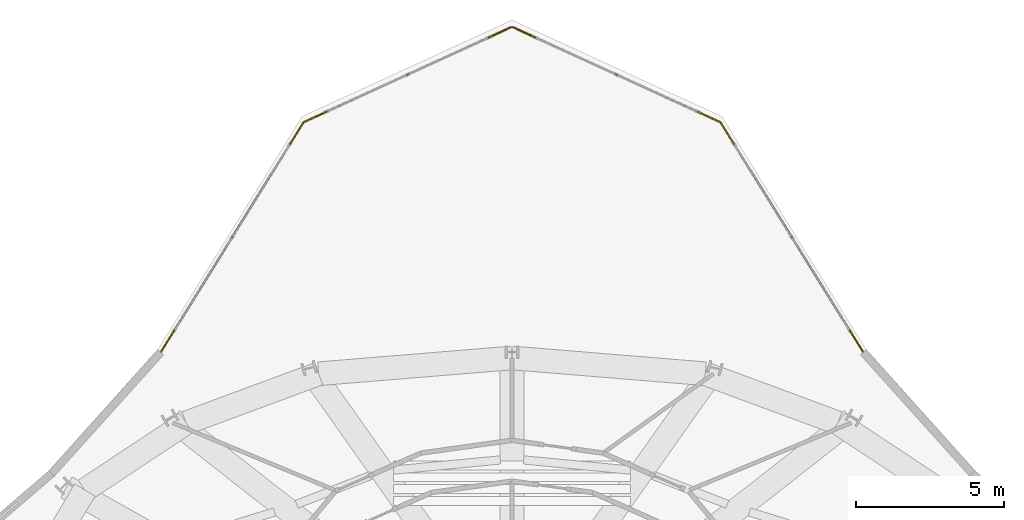
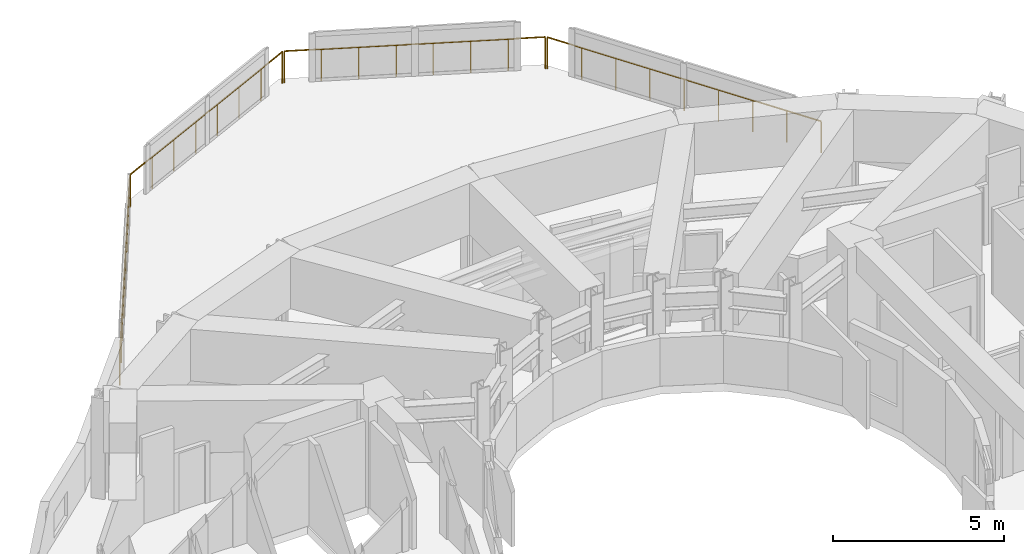
# One storey, part 21 of 21: 4 railings.
"""IFC4 building model written with IfcOpenShell, lengths in metres."""

from ifc_helpers import new_model, si_unit, direction, frame, origin, origin_2d, place, context, subcontext, project, spatial, circle, extrude, material, type_object, element, save


model = new_model("IFC4")

# Units and contexts
model_context = context("Model", 3, precision=1e-05, world=origin(), true_north=direction((0.0, 1.0)))
body_context = subcontext(model_context, "Body", "Model", "MODEL_VIEW")
ifc_project = project(units=[si_unit("LENGTHUNIT", "METRE"), si_unit("AREAUNIT", "SQUARE_METRE"), si_unit("VOLUMEUNIT", "CUBIC_METRE"), si_unit("PLANEANGLEUNIT", "RADIAN"), si_unit("MASSUNIT", "GRAM", prefix="KILO")], contexts=[model_context])

# Site, building, storey
site_placement = place(None, origin())
site = spatial("IfcSite", under=ifc_project, at=site_placement, CompositionType="ELEMENT")
building_placement = place(site_placement, origin())
building = spatial("IfcBuilding", under=site, at=building_placement, Name="Solvane Sanctuary Tower", CompositionType="ELEMENT")
storey_placement = place(building_placement, frame((0.0, 0.0, 256.800048828125)))
storey = spatial("IfcBuildingStorey", under=building, at=storey_placement, Name="L78", CompositionType="ELEMENT", Elevation=256.800048828125)

# Railings
ifc_material = material(Name="Architectural Stainless Steel 316", Category="steel")
railing_type = type_object("IfcRailingType", Name="Railing GR-BALC-1150", PredefinedType="BALUSTRADE", material=ifc_material)
railing_1_placement = place(storey_placement, frame((43.854248046875, 38.695556640625, 0.0)))
element("IfcRailing", 1, at=railing_1_placement, inside=storey, type_object=railing_type, Name="L78 Curtain-Wall Perimeter Sill Guard 04", PredefinedType="BALUSTRADE", context=body_context, shape_type="SweptSolid", body=[
    extrude(circle(Radius=0.02392578125, at=origin_2d()), frame((0.0, 0.0, 1.1259765625), z_axis=(-0.527392269957, 0.84962191214, 0.0), x_axis=(-0.84962191214, -0.527392269957, 0.0)), (0.0, 0.0, 1.0), 9.0927734375),
    extrude(circle(Radius=0.02099609375, at=origin_2d()), origin(), (0.0, 0.0, 1.0), 1.101806640625),
    extrude(circle(Radius=0.02099609375, at=origin_2d()), frame((-0.599365234375, 0.965576171875, 0.0)), (0.0, 0.0, 1.0), 1.101806640625),
    extrude(circle(Radius=0.02099609375, at=origin_2d()), frame((-1.19873046875, 1.931396484375, 0.0)), (0.0, 0.0, 1.0), 1.101806640625),
    extrude(circle(Radius=0.02099609375, at=origin_2d()), frame((-1.79833984375, 2.89697265625, 0.0)), (0.0, 0.0, 1.0), 1.101806640625),
    extrude(circle(Radius=0.02099609375, at=origin_2d()), frame((-2.397705078125, 3.86279296875, 0.0)), (0.0, 0.0, 1.0), 1.101806640625),
    extrude(circle(Radius=0.02099609375, at=origin_2d()), frame((-2.9970703125, 4.828369140625, 0.0)), (0.0, 0.0, 1.0), 1.101806640625),
    extrude(circle(Radius=0.02099609375, at=origin_2d()), frame((-3.5966796875, 5.7939453125, 0.0)), (0.0, 0.0, 1.0), 1.101806640625),
    extrude(circle(Radius=0.02099609375, at=origin_2d()), frame((-4.196044921875, 6.759765625, 0.0)), (0.0, 0.0, 1.0), 1.101806640625),
    extrude(circle(Radius=0.02099609375, at=origin_2d()), frame((-4.79541015625, 7.725341796875, 0.0)), (0.0, 0.0, 1.0), 1.101806640625),
])
railing_2_placement = place(storey_placement, frame((39.015625, 46.458984375, 0.0)))
element("IfcRailing", 2, at=railing_2_placement, inside=storey, type_object=railing_type, Name="L78 Curtain-Wall Perimeter Sill Guard 05", PredefinedType="BALUSTRADE", context=body_context, shape_type="SweptSolid", body=[
    extrude(circle(Radius=0.02392578125, at=origin_2d()), frame((0.0, 0.0, 1.1259765625), z_axis=(-0.90926124068, 0.416225895634, 0.0), x_axis=(-0.416225895634, -0.90926124068, 0.0)), (0.0, 0.0, 1.0), 7.685791015625),
    extrude(circle(Radius=0.02099609375, at=origin_2d()), origin(), (0.0, 0.0, 1.0), 1.101806640625),
    extrude(circle(Radius=0.02099609375, at=origin_2d()), frame((-0.998291015625, 0.45703125, 0.0)), (0.0, 0.0, 1.0), 1.101806640625),
    extrude(circle(Radius=0.02099609375, at=origin_2d()), frame((-1.99658203125, 0.9140625, 0.0)), (0.0, 0.0, 1.0), 1.101806640625),
    extrude(circle(Radius=0.02099609375, at=origin_2d()), frame((-2.994873046875, 1.37109375, 0.0)), (0.0, 0.0, 1.0), 1.101806640625),
    extrude(circle(Radius=0.02099609375, at=origin_2d()), frame((-3.993408203125, 1.827880859375, 0.0)), (0.0, 0.0, 1.0), 1.101806640625),
    extrude(circle(Radius=0.02099609375, at=origin_2d()), frame((-4.99169921875, 2.284912109375, 0.0)), (0.0, 0.0, 1.0), 1.101806640625),
    extrude(circle(Radius=0.02099609375, at=origin_2d()), frame((-5.989990234375, 2.741943359375, 0.0)), (0.0, 0.0, 1.0), 1.101806640625),
    extrude(circle(Radius=0.02099609375, at=origin_2d()), frame((-6.98828125, 3.198974609375, 0.0)), (0.0, 0.0, 1.0), 1.101806640625),
])
railing_3_placement = place(storey_placement, frame((31.97265625, 49.657958984375, 0.0)))
element("IfcRailing", 3, at=railing_3_placement, inside=storey, type_object=railing_type, Name="L78 Curtain-Wall Perimeter Sill Guard 06", PredefinedType="BALUSTRADE", context=body_context, shape_type="SweptSolid", body=[
    extrude(circle(Radius=0.02392578125, at=origin_2d()), frame((0.0, 0.0, 1.1259765625), z_axis=(-0.90926124068, -0.416225895634, 0.0), x_axis=(0.416225895634, -0.90926124068, 0.0)), (0.0, 0.0, 1.0), 7.685791015625),
    extrude(circle(Radius=0.02099609375, at=origin_2d()), origin(), (0.0, 0.0, 1.0), 1.101806640625),
    extrude(circle(Radius=0.02099609375, at=origin_2d()), frame((-0.998291015625, -0.45703125, 0.0)), (0.0, 0.0, 1.0), 1.101806640625),
    extrude(circle(Radius=0.02099609375, at=origin_2d()), frame((-1.99658203125, -0.9140625, 0.0)), (0.0, 0.0, 1.0), 1.101806640625),
    extrude(circle(Radius=0.02099609375, at=origin_2d()), frame((-2.994873046875, -1.37109375, 0.0)), (0.0, 0.0, 1.0), 1.101806640625),
    extrude(circle(Radius=0.02099609375, at=origin_2d()), frame((-3.993408203125, -1.827880859375, 0.0)), (0.0, 0.0, 1.0), 1.101806640625),
    extrude(circle(Radius=0.02099609375, at=origin_2d()), frame((-4.99169921875, -2.284912109375, 0.0)), (0.0, 0.0, 1.0), 1.101806640625),
    extrude(circle(Radius=0.02099609375, at=origin_2d()), frame((-5.989990234375, -2.741943359375, 0.0)), (0.0, 0.0, 1.0), 1.101806640625),
    extrude(circle(Radius=0.02099609375, at=origin_2d()), frame((-6.98828125, -3.198974609375, 0.0)), (0.0, 0.0, 1.0), 1.101806640625),
])
railing_4_placement = place(storey_placement, frame((24.941162109375, 46.4208984375, 0.0)))
element("IfcRailing", 4, at=railing_4_placement, inside=storey, type_object=railing_type, Name="L78 Curtain-Wall Perimeter Sill Guard 07", PredefinedType="BALUSTRADE", context=body_context, shape_type="SweptSolid", body=[
    extrude(circle(Radius=0.02392578125, at=origin_2d()), frame((0.0, 0.0, 1.1259765625), z_axis=(-0.527392269957, -0.84962191214, 0.0), x_axis=(0.84962191214, -0.527392269957, 0.0)), (0.0, 0.0, 1.0), 9.0927734375),
    extrude(circle(Radius=0.02099609375, at=origin_2d()), origin(), (0.0, 0.0, 1.0), 1.101806640625),
    extrude(circle(Radius=0.02099609375, at=origin_2d()), frame((-0.599365234375, -0.965576171875, 0.0)), (0.0, 0.0, 1.0), 1.101806640625),
    extrude(circle(Radius=0.02099609375, at=origin_2d()), frame((-1.19873046875, -1.931396484375, 0.0)), (0.0, 0.0, 1.0), 1.101806640625),
    extrude(circle(Radius=0.02099609375, at=origin_2d()), frame((-1.79833984375, -2.89697265625, 0.0)), (0.0, 0.0, 1.0), 1.101806640625),
    extrude(circle(Radius=0.02099609375, at=origin_2d()), frame((-2.397705078125, -3.86279296875, 0.0)), (0.0, 0.0, 1.0), 1.101806640625),
    extrude(circle(Radius=0.02099609375, at=origin_2d()), frame((-2.9970703125, -4.828369140625, 0.0)), (0.0, 0.0, 1.0), 1.101806640625),
    extrude(circle(Radius=0.02099609375, at=origin_2d()), frame((-3.5966796875, -5.7939453125, 0.0)), (0.0, 0.0, 1.0), 1.101806640625),
    extrude(circle(Radius=0.02099609375, at=origin_2d()), frame((-4.196044921875, -6.759765625, 0.0)), (0.0, 0.0, 1.0), 1.101806640625),
    extrude(circle(Radius=0.02099609375, at=origin_2d()), frame((-4.79541015625, -7.725341796875, 0.0)), (0.0, 0.0, 1.0), 1.101806640625),
])

save(model, "model.ifc")
